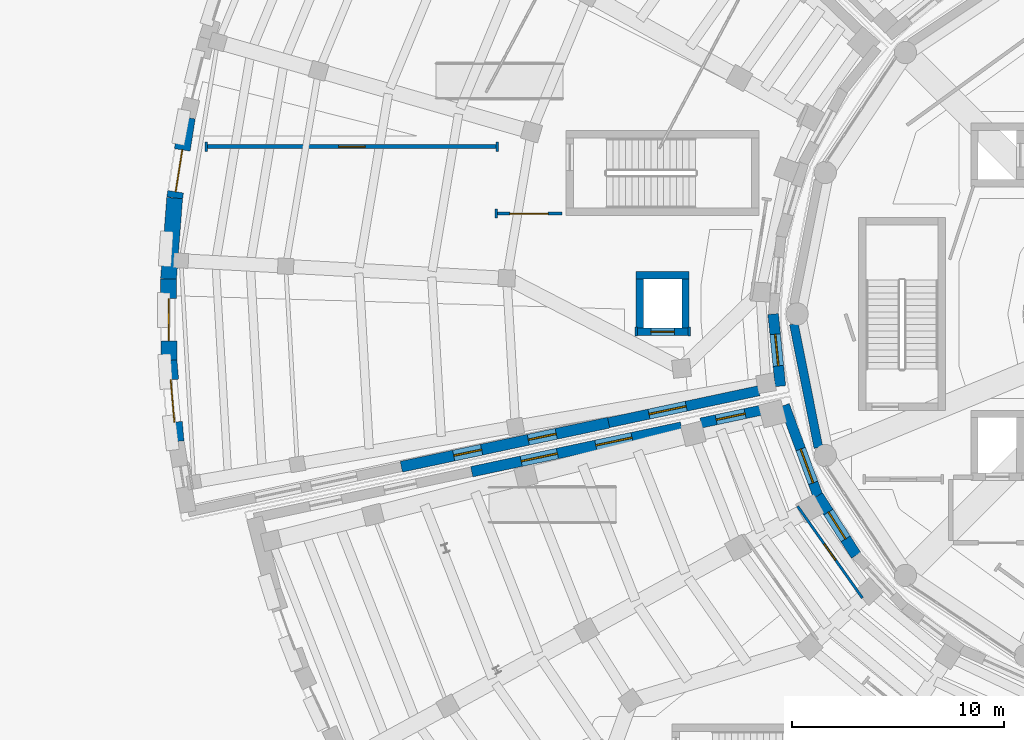
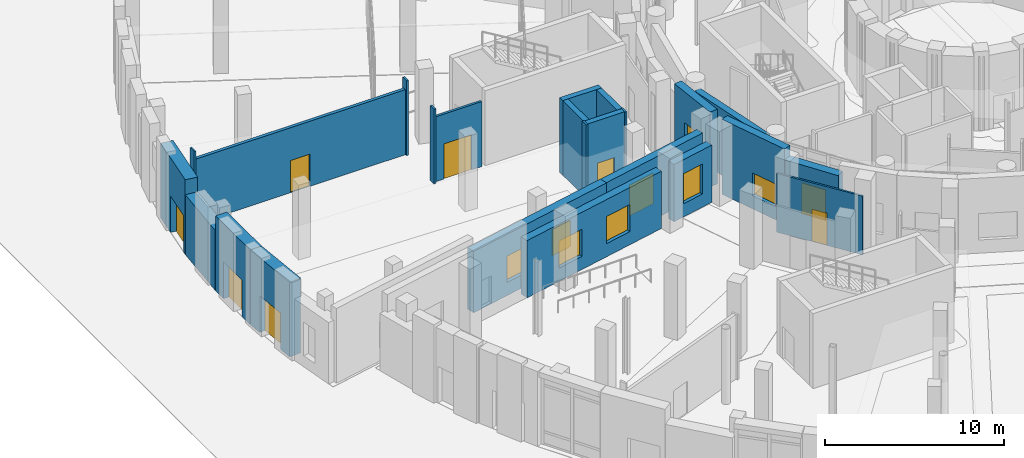
# One storey, part 42 of 74: 24 walls, 9 windows, 7 doors, 16 openings.
"""IFC4 building model written with IfcOpenShell, lengths in metres."""

import ifcopenshell
import ifcopenshell.guid

model = None  # the IFC model being written
_history = None  # IfcOwnerHistory: only IFC2X3 demands one
_inside = {}  # id of a spatial element -> (the spatial element, [elements in it])
_under = {}  # id of a project, library or spatial element -> (it, [spatial elements below it])
_declared = {}  # id of a project -> (the project, [libraries it declares])
_typed = {}  # id of a type object -> (the type object, [elements of that type])
_made_of = {}  # id of a material, layer set ... -> (it, [elements and type objects made of it])


def new_model(schema):
    """Start an empty IFC model of exactly this schema.

    Asked for "IFC4X3", IfcOpenShell would pick the latest addendum, in which some entities
    have other attributes; the version numbers below select the first issue.
    IFC2X3 requires an IfcOwnerHistory on every rooted entity: one is made here for all.
    """
    global model, _history
    if schema == "IFC4X3":
        model = ifcopenshell.file(schema_version=(4, 3, 0, 0))
    else:
        model = ifcopenshell.file(schema=schema)
    _inside.clear()
    _under.clear()
    _declared.clear()
    _typed.clear()
    _made_of.clear()
    _history = None
    if model.schema == "IFC2X3":
        org = make("IfcOrganization", Name="unknown")
        user = make(
            "IfcPersonAndOrganization",
            ThePerson=make("IfcPerson", FamilyName="unknown"),
            TheOrganization=org,
        )
        app = make(
            "IfcApplication",
            ApplicationDeveloper=org,
            Version="unknown",
            ApplicationFullName="unknown",
            ApplicationIdentifier="unknown",
        )
        _history = make(
            "IfcOwnerHistory",
            OwningUser=user,
            OwningApplication=app,
            ChangeAction="ADDED",
            CreationDate=0,
        )
    return model


def make(cls, **values):
    """One entity of the class cls with the attributes given. An attribute that is None is left unset."""
    return model.create_entity(
        cls, **{name: value for name, value in values.items() if value is not None}
    )


def rooted(cls, **values):
    """An entity with a GlobalId (a new one), such as an element, a storey or a relation."""
    return make(cls, GlobalId=ifcopenshell.guid.new(), OwnerHistory=_history, **values)


def si_unit(unit_type, name, prefix=None):
    """IfcSIUnit, for example si_unit("LENGTHUNIT", "METRE", prefix="MILLI")."""
    return make("IfcSIUnit", UnitType=unit_type, Prefix=prefix, Name=name)


def assignment(units):
    """IfcUnitAssignment: the units of a project."""
    return None if units is None else make("IfcUnitAssignment", Units=units)


def point(xyz):
    """IfcCartesianPoint."""
    return None if xyz is None else make("IfcCartesianPoint", Coordinates=xyz)


def direction(xyz):
    """IfcDirection."""
    return None if xyz is None else make("IfcDirection", DirectionRatios=xyz)


def frame(location, z_axis=None, x_axis=None):
    """IfcAxis2Placement3D, a coordinate frame: its origin and axes. An axis left out is left unset."""
    return make(
        "IfcAxis2Placement3D",
        Location=point(location),
        Axis=direction(z_axis),
        RefDirection=direction(x_axis),
    )


def frame_2d(location, x_axis=None):
    """IfcAxis2Placement2D, a coordinate frame in the plane: its origin and x axis."""
    return make(
        "IfcAxis2Placement2D", Location=point(location), RefDirection=direction(x_axis)
    )


def origin():
    """The frame at (0, 0, 0) with its axes left unset."""
    return frame((0.0, 0.0, 0.0))


def place(relative_to, where):
    """IfcLocalPlacement: puts the frame where relative to a parent placement (None: the world)."""
    return make(
        "IfcLocalPlacement", PlacementRelTo=relative_to, RelativePlacement=where
    )


def context(
    kind, dimensions, precision=None, world=None, true_north=None, identifier=None
):
    """IfcGeometricRepresentationContext, for example the 3D "Model" context."""
    return make(
        "IfcGeometricRepresentationContext",
        ContextIdentifier=identifier,
        ContextType=kind,
        CoordinateSpaceDimension=dimensions,
        Precision=precision,
        WorldCoordinateSystem=world,
        TrueNorth=true_north,
    )


def subcontext(parent, identifier, kind, view, scale=None):
    """IfcGeometricRepresentationSubContext, for example "Body" below "Model"."""
    return make(
        "IfcGeometricRepresentationSubContext",
        ContextIdentifier=identifier,
        ContextType=kind,
        ParentContext=parent,
        TargetScale=scale,
        TargetView=view,
    )


def project(units=None, contexts=None):
    """IfcProject with its units and contexts."""
    return rooted(
        "IfcProject",
        Name="project",
        RepresentationContexts=contexts,
        UnitsInContext=assignment(units),
    )


def spatial(cls, under=None, at=None, **own):
    """A site, building, storey or space (cls), placed at a placement, below another one or the project."""
    s = rooted(cls, ObjectPlacement=at, **own)
    if under is not None:
        _under.setdefault(under.id(), (under, []))[1].append(s)
    return s


def profile(cls, at=None, kind="AREA", **sizes):
    """A parametric profile (cls). Its sizes go by their IFC names, for example OverallWidth=200.0."""
    return make(cls, ProfileType=kind, Position=at, **sizes)


def rectangle(**sizes):
    """IfcRectangleProfileDef."""
    return profile("IfcRectangleProfileDef", **sizes)


def extrude(swept, where, along, depth):
    """IfcExtrudedAreaSolid: the profile swept, set in the frame where, extruded along a direction by depth."""
    return make(
        "IfcExtrudedAreaSolid",
        SweptArea=swept,
        Position=where,
        ExtrudedDirection=direction(along),
        Depth=depth,
    )


def shape(context_of_items, identifier, shape_type, items):
    """IfcShapeRepresentation: the items that make up one representation, for example the "Body"."""
    return make(
        "IfcShapeRepresentation",
        ContextOfItems=context_of_items,
        RepresentationIdentifier=identifier,
        RepresentationType=shape_type,
        Items=items,
    )


def material(Name=None, Category=None):
    """IfcMaterial."""
    return make("IfcMaterial", Name=Name, Category=Category)


def layer(
    of_material, thickness, ventilated=None, Name=None, Category=None, Priority=None
):
    """IfcMaterialLayer: one layer of a wall or slab, of a material (None: an air gap)."""
    return make(
        "IfcMaterialLayer",
        Material=of_material,
        LayerThickness=thickness,
        IsVentilated=ventilated,
        Name=Name,
        Category=Category,
        Priority=Priority,
    )


def layer_set(layers, Name=None):
    """IfcMaterialLayerSet."""
    return make("IfcMaterialLayerSet", MaterialLayers=layers, LayerSetName=Name)


def made_of(thing, what):
    """Note that an element or type object is made of a material, layer set ...; save() writes the relation."""
    if what is not None:
        _made_of.setdefault(what.id(), (what, []))[1].append(thing)
    return thing


def type_object(cls, material=None, **own):
    """A type object (cls), such as IfcWallType, which elements share."""
    return made_of(rooted(cls, **own), material)


def element(
    cls,
    number,
    at=None,
    inside=None,
    cuts=None,
    type_object=None,
    material=None,
    context=None,
    identifier="Body",
    shape_type=None,
    held_by="IfcProductDefinitionShape",
    body=None,
    shapes=None,
    **own,
):
    """One element of the class cls, such as IfcWall. Its Tag is "e" and its number.

    at: its placement. inside: the storey or other place that contains it. cuts: it is an
    opening in that element (IfcRelVoidsElement). A single representation is given by context,
    identifier, shape_type and body (its items); several are given by shapes. held_by: the class
    of the entity that holds the representations. save() writes the other relations.
    """
    e = rooted(cls, Tag="e%d" % number, ObjectPlacement=at, **own)
    if body is not None:
        shapes = [shape(context, identifier, shape_type, body)]
    if shapes is not None:
        e.Representation = make(held_by, Representations=shapes)
    if inside is not None:
        _inside.setdefault(inside.id(), (inside, []))[1].append(e)
    if cuts is not None:
        rooted(
            "IfcRelVoidsElement", RelatingBuildingElement=cuts, RelatedOpeningElement=e
        )
    if type_object is not None:
        _typed.setdefault(type_object.id(), (type_object, []))[1].append(e)
    return made_of(e, material)


def fill(opening, filler):
    """IfcRelFillsElement: the door or window that sits in an opening."""
    return rooted(
        "IfcRelFillsElement",
        RelatingOpeningElement=opening,
        RelatedBuildingElement=filler,
    )


def aggregate(whole, parts):
    """IfcRelAggregates: a whole, such as a stair, and the parts it consists of."""
    return rooted("IfcRelAggregates", RelatingObject=whole, RelatedObjects=parts)


def save(model, path):
    """Write the relations noted so far, then the file.

    IfcRelAggregates (storeys below a building ...), IfcRelContainedInSpatialStructure (elements
    in a storey), IfcRelDefinesByType, IfcRelAssociatesMaterial and IfcRelDeclares: one each for
    every whole, place, type object, material and project.
    """
    for whole, parts in _under.values():
        aggregate(whole, parts)
    for where, things in _inside.values():
        rooted(
            "IfcRelContainedInSpatialStructure",
            RelatedElements=things,
            RelatingStructure=where,
        )
    for kind, things in _typed.values():
        rooted("IfcRelDefinesByType", RelatedObjects=things, RelatingType=kind)
    for what, things in _made_of.values():
        rooted("IfcRelAssociatesMaterial", RelatedObjects=things, RelatingMaterial=what)
    for by, libraries in _declared.values():
        rooted("IfcRelDeclares", RelatingContext=by, RelatedDefinitions=libraries)
    model.write(path)


model = new_model("IFC4")

# Units and contexts
model_context = context("Model", 3, precision=1e-05, world=origin(), true_north=direction((0.0, 1.0)))
body_context = subcontext(model_context, "Body", "Model", "MODEL_VIEW")
ifc_project = project(units=[si_unit("LENGTHUNIT", "METRE"), si_unit("AREAUNIT", "SQUARE_METRE"), si_unit("VOLUMEUNIT", "CUBIC_METRE"), si_unit("PLANEANGLEUNIT", "RADIAN"), si_unit("MASSUNIT", "GRAM", prefix="KILO")], contexts=[model_context])

# Site, building, storey
site_placement = place(None, origin())
site = spatial("IfcSite", under=ifc_project, at=site_placement, CompositionType="ELEMENT")
building_placement = place(site_placement, origin())
building = spatial("IfcBuilding", under=site, at=building_placement, Name="Soyqirgoq Riverine Aquarium", CompositionType="ELEMENT")
storey_placement = place(building_placement, origin())
storey = spatial("IfcBuildingStorey", under=building, at=storey_placement, Name="L01", CompositionType="ELEMENT", Elevation=0.0)

# Wall, opening, door
ifc_material_1 = material(Name="Concrete C40/50", Category="concrete")
ifc_layer_1 = layer(ifc_material_1, 0.35009765625)
ifc_layer_set_1 = layer_set([ifc_layer_1], Name="Concrete C40/50")
wall_type_1 = type_object("IfcWallType", Name="CoreShearWall_350_C40", PredefinedType="SHEAR", material=ifc_layer_set_1)
wall_1_placement = place(storey_placement, frame((30.945068359375, 56.169921875, 0.0), z_axis=(0.0, 0.0, 1.0), x_axis=(1.0, 0.0, 0.0)))
wall_1 = element("IfcWall", 1, at=wall_1_placement, inside=storey, type_object=wall_type_1, Name="Lift PL-2 Shaft Wall L01 1", PredefinedType="SHEAR", context=body_context, shape_type="SweptSolid", body=[
    extrude(rectangle(XDim=2.510009765625, YDim=0.35009765625, at=frame_2d((1.2548828125, 0.0))), origin(), (0.0, 0.0, 1.0), 5.10009765625),
])
opening_1_placement = place(wall_1_placement, frame((0.705078125, 0.0, 0.0)))
opening_1 = element("IfcOpeningElement", 2, at=opening_1_placement, cuts=wall_1, Name="Opening LD-01", PredefinedType="OPENING", context=body_context, shape_type="SweptSolid", body=[
    extrude(rectangle(XDim=1.10009765625, YDim=2.199951171875, at=frame_2d((0.550048828125, 1.10009765625))), frame((0.0, 0.18505859375, 0.0), z_axis=(0.0, -1.0, 0.0), x_axis=(1.0, 0.0, 0.0)), (0.0, 0.0, 1.0), 0.3701171875),
])
ifc_material_2 = material(Name="Brushed stainless steel telescopic lift landing door", Category="steel")
door_type_1 = type_object("IfcDoorType", Name="LiftLandingDoor_1100x2200", OperationType="SLIDING_TO_LEFT", PredefinedType="DOOR", material=ifc_material_2)
door_1_placement = place(opening_1_placement, origin())
door_1 = element("IfcDoor", 3, at=door_1_placement, inside=storey, type_object=door_type_1, Name="LD-PL-2-L01 Lift PL-2 L01 Sliding Landing Door", OperationType="SLIDING_TO_LEFT", OverallHeight=2.199951171875, OverallWidth=1.10009765625, PredefinedType="DOOR", context=body_context, shape_type="SweptSolid", body=[
    extrude(rectangle(XDim=1.10009765625, YDim=2.199951171875, at=frame_2d((0.550048828125, 1.10009765625))), frame((0.0, 0.02490234375, 0.0), z_axis=(0.0, -1.0, 0.0), x_axis=(1.0, 0.0, 0.0)), (0.0, 0.0, 1.0), 0.050048828125),
])
fill(opening_1, door_1)

# Walls
wall_2_placement = place(storey_placement, frame((33.280029296875, 56.344970703125, 0.0), z_axis=(0.0, 0.0, 1.0), x_axis=(0.0, 1.0, 0.0)))
element("IfcWall", 4, at=wall_2_placement, inside=storey, type_object=wall_type_1, Name="Lift PL-2 Shaft Wall L01 2", PredefinedType="SHEAR", context=body_context, shape_type="SweptSolid", body=[
    extrude(rectangle(XDim=2.31005859375, YDim=0.35009765625, at=frame_2d((1.155029296875, 0.0))), origin(), (0.0, 0.0, 1.0), 5.10009765625),
])
wall_3_placement = place(storey_placement, frame((33.455078125, 58.830078125, 0.0), z_axis=(0.0, 0.0, 1.0), x_axis=(-1.0, 0.0, 0.0)))
element("IfcWall", 5, at=wall_3_placement, inside=storey, type_object=wall_type_1, Name="Lift PL-2 Shaft Wall L01 3", PredefinedType="SHEAR", context=body_context, shape_type="SweptSolid", body=[
    extrude(rectangle(XDim=2.510009765625, YDim=0.35009765625, at=frame_2d((1.2548828125, 0.0))), origin(), (0.0, 0.0, 1.0), 5.10009765625),
])
wall_4_placement = place(storey_placement, frame((31.1201171875, 58.655029296875, 0.0), z_axis=(0.0, 0.0, 1.0), x_axis=(0.0, -1.0, 0.0)))
element("IfcWall", 6, at=wall_4_placement, inside=storey, type_object=wall_type_1, Name="Lift PL-2 Shaft Wall L01 4", PredefinedType="SHEAR", context=body_context, shape_type="SweptSolid", body=[
    extrude(rectangle(XDim=2.31005859375, YDim=0.35009765625, at=frame_2d((1.155029296875, 0.0))), origin(), (0.0, 0.0, 1.0), 5.10009765625),
])

# Wall, opening, door
ifc_material_3 = material(Name="Lightweight steel-stud gypsum partition", Category="steel")
ifc_layer_2 = layer(ifc_material_3, 0.1201171875)
ifc_layer_set_2 = layer_set([ifc_layer_2], Name="Lightweight steel-stud gypsum partition")
wall_type_2 = type_object("IfcWallType", Name="PartitionWall_120_Std", PredefinedType="PARTITIONING", material=ifc_layer_set_2)
wall_5_placement = place(storey_placement, frame((41.62890625, 43.5986328125, 0.0), z_axis=(0.0, 0.0, 1.0), x_axis=(-0.577138892994, 0.816646005436, 0.0)))
wall_5 = element("IfcWall", 7, at=wall_5_placement, inside=storey, type_object=wall_type_2, Name="V2 Gallery Circulation Corridor Partition Wall", PredefinedType="PARTITIONING", context=body_context, shape_type="SweptSolid", body=[
    extrude(rectangle(XDim=5.299560546875, YDim=0.1201171875, at=frame_2d((2.64990234375, 0.0))), origin(), (0.0, 0.0, 1.0), 4.010009765625),
])
opening_2_placement = place(wall_5_placement, frame((2.1748046875, 0.0, 0.0)))
opening_2 = element("IfcOpeningElement", 8, at=opening_2_placement, cuts=wall_5, Name="Opening ID-06", PredefinedType="OPENING", context=body_context, shape_type="SweptSolid", body=[
    extrude(rectangle(XDim=0.949951171875, YDim=2.199951171875, at=frame_2d((0.47509765625, 1.10009765625))), frame((0.0, 0.070068359375, 0.0), z_axis=(0.0, -1.0, 0.0), x_axis=(1.0, 0.0, 0.0)), (0.0, 0.0, 1.0), 0.14013671875),
])
ifc_material_4 = material(Name="Moisture-resistant HPL washroom door", Category="wood")
door_type_2 = type_object("IfcDoorType", Name="WCDoor_950x2200", OperationType="NOTDEFINED", PredefinedType="DOOR", material=ifc_material_4)
door_2_placement = place(opening_2_placement, origin())
door_2 = element("IfcDoor", 9, at=door_2_placement, inside=storey, type_object=door_type_2, Name="IDR-V2-L01-0082 Main Entrance Concourse Door", OperationType="SINGLE_SWING_RIGHT", OverallHeight=2.199951171875, OverallWidth=0.949951171875, PredefinedType="DOOR", context=body_context, shape_type="SweptSolid", body=[
    extrude(rectangle(XDim=0.949951171875, YDim=2.199951171875, at=frame_2d((0.47509765625, 1.10009765625))), frame((0.0, 0.02490234375, 0.0), z_axis=(0.0, -1.0, 0.0), x_axis=(1.0, 0.0, 0.0)), (0.0, 0.0, 1.0), 0.050048828125),
])
fill(opening_2, door_2)

# Walls
for number, where, z_axis, x_axis, name in (
    (10, (30.945068359375, 55.949951171875, 0.0), (0.0, 0.0, 1.0), (0.0, 1.0, 0.0), "V3 L01 Jamb Return Pier"),
    (11, (33.455078125, 55.949951171875, 0.0), (0.0, 0.0, 1.0), (0.0, 1.0, 0.0), "V3 L01 Jamb Return Pier"),
):
    element("IfcWall", number, at=place(storey_placement, frame(where, z_axis=z_axis, x_axis=x_axis)), inside=storey, type_object=wall_type_2, Name=name, PredefinedType="PARTITIONING", context=body_context, shape_type="SweptSolid", body=[
        extrude(rectangle(XDim=0.43994140625, YDim=0.1201171875, at=frame_2d((0.219970703125, 0.0))), origin(), (0.0, 0.0, 1.0), 5.10009765625),
    ])
for number, where, z_axis, x_axis, name in (
    (12, (24.39990234375, 65.1201171875, 0.0), (0.0, 0.0, 1.0), (0.0, -1.0, 0.0), "V3 L01 Jamb Return Pier"),
    (13, (10.6669921875, 65.1201171875, 0.0), (0.0, 0.0, 1.0), (0.0, -1.0, 0.0), "V3 L01 Jamb Return Pier"),
):
    element("IfcWall", number, at=place(storey_placement, frame(where, z_axis=z_axis, x_axis=x_axis)), inside=storey, type_object=wall_type_2, Name=name, PredefinedType="PARTITIONING", context=body_context, shape_type="SweptSolid", body=[
        extrude(rectangle(XDim=0.440185546875, YDim=0.1201171875, at=frame_2d((0.22021484375, 0.0))), origin(), (0.0, 0.0, 1.0), 5.10009765625),
    ])
wall_6_placement = place(storey_placement, frame((24.340087890625, 61.9599609375, 0.0), z_axis=(0.0, 0.0, 1.0), x_axis=(0.0, -1.0, 0.0)))
element("IfcWall", 14, at=wall_6_placement, inside=storey, type_object=wall_type_2, Name="V3 L01 Jamb Return Pier", PredefinedType="PARTITIONING", context=body_context, shape_type="SweptSolid", body=[
    extrude(rectangle(XDim=0.43994140625, YDim=0.1201171875, at=frame_2d((0.219970703125, 0.0))), origin(), (0.0, 0.0, 1.0), 5.10009765625),
])

# Wall, opening, door
ifc_material_5 = material(Name="Acoustic mineral-wool twin-stud partition", Category="gypsum")
ifc_layer_3 = layer(ifc_material_5, 0.14990234375)
ifc_layer_set_3 = layer_set([ifc_layer_3], Name="Acoustic mineral-wool twin-stud partition")
wall_type_3 = type_object("IfcWallType", Name="PartitionWall_150_Acoustic", PredefinedType="PARTITIONING", material=ifc_layer_set_3)
wall_7_placement = place(storey_placement, frame((27.449951171875, 61.739990234375, 0.0), z_axis=(0.0, 0.0, 1.0), x_axis=(-1.0, 0.0, 0.0)))
wall_7 = element("IfcWall", 15, at=wall_7_placement, inside=storey, type_object=wall_type_3, Name="Riverine Gallery Partition Wall", PredefinedType="PARTITIONING", context=body_context, shape_type="SweptSolid", body=[
    extrude(rectangle(XDim=3.10986328125, YDim=0.14990234375, at=frame_2d((1.554931640625, 0.0))), origin(), (0.0, 0.0, 1.0), 4.43994140625),
])
opening_3_placement = place(wall_7_placement, frame((0.655029296875, 0.0, 0.0)))
opening_3 = element("IfcOpeningElement", 16, at=opening_3_placement, cuts=wall_7, Name="Opening ID-01", PredefinedType="OPENING", context=body_context, shape_type="SweptSolid", body=[
    extrude(rectangle(XDim=1.800048828125, YDim=2.39990234375, at=frame_2d((0.89990234375, 1.199951171875))), frame((0.0, 0.0849609375, 0.0), z_axis=(0.0, -1.0, 0.0), x_axis=(1.0, 0.0, 0.0)), (0.0, 0.0, 1.0), 0.169921875),
])
ifc_material_6 = material(Name="Acoustic timber-framed glazed gallery double door", Category="wood")
door_type_3 = type_object("IfcDoorType", Name="GalleryDoubleDoor_1800x2400", OperationType="DOUBLE_DOOR_SINGLE_SWING", PredefinedType="DOOR", material=ifc_material_6)
door_3_placement = place(opening_3_placement, origin())
door_3 = element("IfcDoor", 17, at=door_3_placement, inside=storey, type_object=door_type_3, Name="IDR-V3-L01-0094 Riverine Gallery Door", OperationType="DOUBLE_DOOR_SINGLE_SWING", OverallHeight=2.39990234375, OverallWidth=1.800048828125, PredefinedType="DOOR", context=body_context, shape_type="SweptSolid", body=[
    extrude(rectangle(XDim=1.800048828125, YDim=2.39990234375, at=frame_2d((0.89990234375, 1.199951171875))), frame((0.0, 0.02490234375, 0.0), z_axis=(0.0, -1.0, 0.0), x_axis=(1.0, 0.0, 0.0)), (0.0, 0.0, 1.0), 0.050048828125),
])
fill(opening_3, door_3)

ifc_material_7 = material(Name="Fire-rated calcium silicate twin-stud partition", Category="gypsum")
ifc_layer_4 = layer(ifc_material_7, 0.199951171875)
ifc_layer_set_4 = layer_set([ifc_layer_4], Name="Fire-rated calcium silicate twin-stud partition")
wall_type_4 = type_object("IfcWallType", Name="PartitionWall_200_EI90", PredefinedType="PARTITIONING", material=ifc_layer_set_4)
wall_8_placement = place(storey_placement, frame((24.39990234375, 64.89990234375, 0.0), z_axis=(0.0, 0.0, 1.0), x_axis=(-1.0, 0.0, 0.0)))
wall_8 = element("IfcWall", 18, at=wall_8_placement, inside=storey, type_object=wall_type_4, Name="Lift and Stair Lobby ST-3 and Protected Exit Passageway Fire Enclosure Wall", PredefinedType="PARTITIONING", context=body_context, shape_type="SweptSolid", body=[
    extrude(rectangle(XDim=13.73291015625, YDim=0.199951171875, at=frame_2d((6.866455078125, 0.0))), origin(), (0.0, 0.0, 1.0), 4.43994140625),
])
opening_4_placement = place(wall_8_placement, frame((6.241455078125, 0.0, 0.0)))
opening_4 = element("IfcOpeningElement", 19, at=opening_4_placement, cuts=wall_8, Name="Opening FD-01", PredefinedType="OPENING", context=body_context, shape_type="SweptSolid", body=[
    extrude(rectangle(XDim=1.25, YDim=2.199951171875, at=frame_2d((0.625, 1.10009765625))), frame((0.0, 0.10986328125, 0.0), z_axis=(0.0, -1.0, 0.0), x_axis=(1.0, 0.0, 0.0)), (0.0, 0.0, 1.0), 0.219970703125),
])
ifc_material_8 = material(Name="Galvanised steel fire-resisting stair door", Category="steel")
door_type_4 = type_object("IfcDoorType", Name="StairFireDoor_1250x2200_EI90", OperationType="NOTDEFINED", PredefinedType="DOOR", material=ifc_material_8)
door_4_placement = place(opening_4_placement, origin())
door_4 = element("IfcDoor", 20, at=door_4_placement, inside=storey, type_object=door_type_4, Name="IDR-V3-L01-0092 Lift and Stair Lobby ST-3 and Protected Exit Passageway Egress Fire Door", OperationType="SINGLE_SWING_LEFT", OverallHeight=2.199951171875, OverallWidth=1.25, PredefinedType="DOOR", context=body_context, shape_type="SweptSolid", body=[
    extrude(rectangle(XDim=1.25, YDim=2.199951171875, at=frame_2d((0.625, 1.10009765625))), frame((0.0, 0.02490234375, 0.0), z_axis=(0.0, -1.0, 0.0), x_axis=(1.0, 0.0, 0.0)), (0.0, 0.0, 1.0), 0.050048828125),
])
fill(opening_4, door_4)

# Wall, opening, window
ifc_material_9 = material(Name="Honed travertine limestone cavity wall", Category="masonry")
ifc_layer_5 = layer(ifc_material_9, 0.47998046875)
ifc_layer_set_5 = layer_set([ifc_layer_5], Name="Honed travertine limestone cavity wall")
wall_type_5 = type_object("IfcWallType", Name="TravertineCavityWall_480", PredefinedType="SOLIDWALL", material=ifc_layer_set_5)
wall_9_placement = place(storey_placement, frame((37.951416015625, 52.693359375, 0.0), z_axis=(0.0, 0.0, 1.0), x_axis=(0.346456169042, -0.938066161277, 0.0)))
wall_9 = element("IfcWall", 21, at=wall_9_placement, inside=storey, type_object=wall_type_5, Name="V2 L01 Exterior Travertine Wall 0051", PredefinedType="SOLIDWALL", context=body_context, shape_type="SweptSolid", body=[
    extrude(rectangle(XDim=4.550048828125, YDim=0.47998046875, at=frame_2d((2.27490234375, 0.0))), origin(), (0.0, 0.0, 1.0), 5.1201171875),
])
opening_5_placement = place(wall_9_placement, frame((2.205078125, 0.0, 0.89990234375)))
opening_5 = element("IfcOpeningElement", 22, at=opening_5_placement, cuts=wall_9, Name="Opening WN-21", PredefinedType="OPENING", context=body_context, shape_type="SweptSolid", body=[
    extrude(rectangle(XDim=1.699951171875, YDim=1.550048828125, at=frame_2d((0.85009765625, 0.77490234375))), frame((0.0, 0.25, 0.0), z_axis=(0.0, -1.0, 0.0), x_axis=(1.0, 0.0, 0.0)), (0.0, 0.0, 1.0), 0.5),
])
ifc_material_10 = material(Name="Thermally broken aluminium triple low-E window", Category="aluminium")
window_type_1 = type_object("IfcWindowType", Name="Win_Lab_1700x1550", PartitioningType="DOUBLE_PANEL_VERTICAL", PredefinedType="WINDOW", material=ifc_material_10)
window_1_placement = place(opening_5_placement, origin())
window_1 = element("IfcWindow", 23, at=window_1_placement, inside=storey, type_object=window_type_1, Name="V2 L01 Facade Window 0021", OverallHeight=1.550048828125, OverallWidth=1.699951171875, PartitioningType="DOUBLE_PANEL_VERTICAL", PredefinedType="WINDOW", context=body_context, shape_type="SweptSolid", body=[
    extrude(rectangle(XDim=1.699951171875, YDim=1.550048828125, at=frame_2d((0.85009765625, 0.77490234375))), frame((0.0, 0.030029296875, 0.0), z_axis=(0.0, -1.0, 0.0), x_axis=(1.0, 0.0, 0.0)), (0.0, 0.0, 1.0), 0.06005859375),
])
fill(opening_5, window_1)

wall_10_placement = place(storey_placement, frame((34.010009765625, 51.855712890625, 0.0), z_axis=(0.0, 0.0, 1.0), x_axis=(0.97815429803, 0.207880180021, 0.0)))
wall_10 = element("IfcWall", 24, at=wall_10_placement, inside=storey, type_object=wall_type_5, Name="V2 L01 Exterior Travertine Wall 0072", PredefinedType="SOLIDWALL", context=body_context, shape_type="SweptSolid", body=[
    extrude(rectangle(XDim=2.862060546875, YDim=0.47998046875, at=frame_2d((1.43115234375, 0.0))), origin(), (0.0, 0.0, 1.0), 3.909912109375),
])
opening_6_placement = place(wall_10_placement, frame((0.73095703125, 0.0, 0.89990234375)))
opening_6 = element("IfcOpeningElement", 25, at=opening_6_placement, cuts=wall_10, Name="Opening WN-20", PredefinedType="OPENING", context=body_context, shape_type="SweptSolid", body=[
    extrude(rectangle(XDim=1.39990234375, YDim=2.050048828125, at=frame_2d((0.699951171875, 1.02490234375))), frame((0.0, 0.25, 0.0), z_axis=(0.0, -1.0, 0.0), x_axis=(1.0, 0.0, 0.0)), (0.0, 0.0, 1.0), 0.5),
])
ifc_material_11 = material(Name="Thermally broken aluminium triple low-E window", Category="aluminium")
window_type_2 = type_object("IfcWindowType", Name="Win_Gallery_1400x2050", PartitioningType="DOUBLE_PANEL_VERTICAL", PredefinedType="WINDOW", material=ifc_material_11)
window_2_placement = place(opening_6_placement, origin())
window_2 = element("IfcWindow", 26, at=window_2_placement, inside=storey, type_object=window_type_2, Name="V2 L01 Facade Window 0034", OverallHeight=2.050048828125, OverallWidth=1.39990234375, PartitioningType="DOUBLE_PANEL_VERTICAL", PredefinedType="WINDOW", context=body_context, shape_type="SweptSolid", body=[
    extrude(rectangle(XDim=1.39990234375, YDim=2.050048828125, at=frame_2d((0.699951171875, 1.02490234375))), frame((0.0, 0.030029296875, 0.0), z_axis=(0.0, -1.0, 0.0), x_axis=(1.0, 0.0, 0.0)), (0.0, 0.0, 1.0), 0.06005859375),
])
fill(opening_6, window_2)

wall_11_placement = place(storey_placement, frame((36.74072265625, 53.376708984375, 0.0), z_axis=(0.0, 0.0, 1.0), x_axis=(-0.978142239511, -0.207936911788, 0.0)))
wall_11 = element("IfcWall", 27, at=wall_11_placement, inside=storey, type_object=wall_type_5, Name="V3 L01 Exterior Travertine Wall 0097", PredefinedType="SOLIDWALL", context=body_context, shape_type="SweptSolid", body=[
    extrude(rectangle(XDim=7.247802734375, YDim=0.47998046875, at=frame_2d((3.6240234375, 0.0))), origin(), (0.0, 0.0, 1.0), 4.18994140625),
])
opening_7_placement = place(wall_11_placement, frame((3.50390625, 0.0, 0.89990234375)))
opening_7 = element("IfcOpeningElement", 28, at=opening_7_placement, cuts=wall_11, Name="Opening WN-05", PredefinedType="OPENING", context=body_context, shape_type="SweptSolid", body=[
    extrude(rectangle(XDim=1.800048828125, YDim=2.10009765625, at=frame_2d((0.89990234375, 1.050048828125))), frame((0.0, 0.25, 0.0), z_axis=(0.0, -1.0, 0.0), x_axis=(1.0, 0.0, 0.0)), (0.0, 0.0, 1.0), 0.5),
])
ifc_material_12 = material(Name="Thermally broken aluminium triple low-E window", Category="aluminium")
window_type_3 = type_object("IfcWindowType", Name="Win_Gallery_1800x2100", PartitioningType="DOUBLE_PANEL_VERTICAL", PredefinedType="WINDOW", material=ifc_material_12)
window_3_placement = place(opening_7_placement, origin())
window_3 = element("IfcWindow", 29, at=window_3_placement, inside=storey, type_object=window_type_3, Name="V3 L01 Facade Window 0063", OverallHeight=2.10009765625, OverallWidth=1.800048828125, PartitioningType="DOUBLE_PANEL_VERTICAL", PredefinedType="WINDOW", context=body_context, shape_type="SweptSolid", body=[
    extrude(rectangle(XDim=1.800048828125, YDim=2.10009765625, at=frame_2d((0.89990234375, 1.050048828125))), frame((0.0, 0.030029296875, 0.0), z_axis=(0.0, -1.0, 0.0), x_axis=(1.0, 0.0, 0.0)), (0.0, 0.0, 1.0), 0.06005859375),
])
fill(opening_7, window_3)

# Wall, openings, windows
ifc_material_13 = material(Name="Honed travertine limestone cavity wall", Category="masonry")
ifc_layer_6 = layer(ifc_material_13, 0.5)
ifc_layer_set_6 = layer_set([ifc_layer_6], Name="Honed travertine limestone cavity wall")
wall_type_6 = type_object("IfcWallType", Name="TravertineCavityWall_500", PredefinedType="SOLIDWALL", material=ifc_layer_set_6)
wall_12_placement = place(storey_placement, frame((23.189453125, 49.5556640625, 0.0), z_axis=(0.0, 0.0, 1.0), x_axis=(0.97814560757, 0.207921067697, 0.0)))
wall_12 = element("IfcWall", 30, at=wall_12_placement, inside=storey, type_object=wall_type_6, Name="V2 L01 Exterior Travertine Wall 0071", PredefinedType="SOLIDWALL", context=body_context, shape_type="SweptSolid", body=[
    extrude(rectangle(XDim=10.12158203125, YDim=0.5, at=frame_2d((5.060791015625, 0.0))), origin(), (0.0, 0.0, 1.0), 3.909912109375),
])
opening_8_placement = place(wall_12_placement, frame((2.385986328125, 0.0, 0.89990234375)))
opening_8 = element("IfcOpeningElement", 31, at=opening_8_placement, cuts=wall_12, Name="Opening WN-19", PredefinedType="OPENING", context=body_context, shape_type="SweptSolid", body=[
    extrude(rectangle(XDim=1.75, YDim=1.85009765625, at=frame_2d((0.875, 0.925048828125))), frame((0.0, 0.260009765625, 0.0), z_axis=(0.0, -1.0, 0.0), x_axis=(1.0, 0.0, 0.0)), (0.0, 0.0, 1.0), 0.52001953125),
])
opening_9_placement = place(wall_12_placement, frame((5.98583984375, 0.0, 0.89990234375)))
opening_9 = element("IfcOpeningElement", 32, at=opening_9_placement, cuts=wall_12, Name="Opening WN-19", PredefinedType="OPENING", context=body_context, shape_type="SweptSolid", body=[
    extrude(rectangle(XDim=1.75, YDim=1.85009765625, at=frame_2d((0.875, 0.925048828125))), frame((0.0, 0.260009765625, 0.0), z_axis=(0.0, -1.0, 0.0), x_axis=(1.0, 0.0, 0.0)), (0.0, 0.0, 1.0), 0.52001953125),
])
ifc_material_14 = material(Name="Thermally broken aluminium triple low-E window", Category="aluminium")
window_type_4 = type_object("IfcWindowType", Name="Win_Office_1750x1850", PartitioningType="DOUBLE_PANEL_VERTICAL", PredefinedType="WINDOW", material=ifc_material_14)
window_4_placement = place(opening_8_placement, origin())
window_4 = element("IfcWindow", 33, at=window_4_placement, inside=storey, type_object=window_type_4, Name="V2 L01 Facade Window 0032", OverallHeight=1.85009765625, OverallWidth=1.75, PartitioningType="DOUBLE_PANEL_VERTICAL", PredefinedType="WINDOW", context=body_context, shape_type="SweptSolid", body=[
    extrude(rectangle(XDim=1.75, YDim=1.85009765625, at=frame_2d((0.875, 0.925048828125))), frame((0.0, 0.030029296875, 0.0), z_axis=(0.0, -1.0, 0.0), x_axis=(1.0, 0.0, 0.0)), (0.0, 0.0, 1.0), 0.06005859375),
])
fill(opening_8, window_4)
window_5_placement = place(opening_9_placement, origin())
window_5 = element("IfcWindow", 34, at=window_5_placement, inside=storey, type_object=window_type_4, Name="V2 L01 Facade Window 0033", OverallHeight=1.85009765625, OverallWidth=1.75, PartitioningType="DOUBLE_PANEL_VERTICAL", PredefinedType="WINDOW", context=body_context, shape_type="SweptSolid", body=[
    extrude(rectangle(XDim=1.75, YDim=1.85009765625, at=frame_2d((0.875, 0.925048828125))), frame((0.0, 0.030029296875, 0.0), z_axis=(0.0, -1.0, 0.0), x_axis=(1.0, 0.0, 0.0)), (0.0, 0.0, 1.0), 0.06005859375),
])
fill(opening_9, window_5)

# Wall, opening, window
wall_13_placement = place(storey_placement, frame((37.4189453125, 56.999755859375, 0.0), z_axis=(0.0, 0.0, 1.0), x_axis=(0.09912244439, -0.995075243898, 0.0)))
wall_13 = element("IfcWall", 35, at=wall_13_placement, inside=storey, type_object=wall_type_6, Name="V3 L01 Exterior Travertine Wall 0096", PredefinedType="SOLIDWALL", context=body_context, shape_type="SweptSolid", body=[
    extrude(rectangle(XDim=3.423583984375, YDim=0.5, at=frame_2d((1.7119140625, 0.0))), origin(), (0.0, 0.0, 1.0), 5.10009765625),
])
opening_10_placement = place(wall_13_placement, frame((0.9619140625, 0.0, 0.89990234375)))
opening_10 = element("IfcOpeningElement", 36, at=opening_10_placement, cuts=wall_13, Name="Opening WN-04", PredefinedType="OPENING", context=body_context, shape_type="SweptSolid", body=[
    extrude(rectangle(XDim=1.5, YDim=2.10009765625, at=frame_2d((0.75, 1.050048828125))), frame((0.0, 0.260009765625, 0.0), z_axis=(0.0, -1.0, 0.0), x_axis=(1.0, 0.0, 0.0)), (0.0, 0.0, 1.0), 0.52001953125),
])
ifc_material_15 = material(Name="Thermally broken aluminium triple low-E window", Category="aluminium")
window_type_5 = type_object("IfcWindowType", Name="Win_Gallery_1500x2100", PartitioningType="DOUBLE_PANEL_VERTICAL", PredefinedType="WINDOW", material=ifc_material_15)
window_6_placement = place(opening_10_placement, origin())
window_6 = element("IfcWindow", 37, at=window_6_placement, inside=storey, type_object=window_type_5, Name="V3 L01 Facade Window 0062", OverallHeight=2.10009765625, OverallWidth=1.5, PartitioningType="DOUBLE_PANEL_VERTICAL", PredefinedType="WINDOW", context=body_context, shape_type="SweptSolid", body=[
    extrude(rectangle(XDim=1.5, YDim=2.10009765625, at=frame_2d((0.75, 1.050048828125))), frame((0.0, 0.030029296875, 0.0), z_axis=(0.0, -1.0, 0.0), x_axis=(1.0, 0.0, 0.0)), (0.0, 0.0, 1.0), 0.06005859375),
])
fill(opening_10, window_6)

ifc_material_16 = material(Name="Honed travertine limestone cavity wall", Category="masonry")
ifc_layer_7 = layer(ifc_material_16, 0.52001953125)
ifc_layer_set_7 = layer_set([ifc_layer_7], Name="Honed travertine limestone cavity wall")
wall_type_7 = type_object("IfcWallType", Name="TravertineCavityWall_520", PredefinedType="SOLIDWALL", material=ifc_layer_set_7)
wall_14_placement = place(storey_placement, frame((39.52783203125, 48.425048828125, 0.0), z_axis=(0.0, 0.0, 1.0), x_axis=(0.539805398391, -0.841789838302, 0.0)))
wall_14 = element("IfcWall", 38, at=wall_14_placement, inside=storey, type_object=wall_type_7, Name="V2 L01 Exterior Travertine Wall 0052", PredefinedType="SOLIDWALL", context=body_context, shape_type="SweptSolid", body=[
    extrude(rectangle(XDim=3.344482421875, YDim=0.52001953125, at=frame_2d((1.67236328125, 0.0))), origin(), (0.0, 0.0, 1.0), 4.409912109375),
])
opening_11_placement = place(wall_14_placement, frame((0.92236328125, 0.0, 0.89990234375)))
opening_11 = element("IfcOpeningElement", 39, at=opening_11_placement, cuts=wall_14, Name="Opening WN-04", PredefinedType="OPENING", context=body_context, shape_type="SweptSolid", body=[
    extrude(rectangle(XDim=1.5, YDim=2.10009765625, at=frame_2d((0.75, 1.050048828125))), frame((0.0, 0.27001953125, 0.0), z_axis=(0.0, -1.0, 0.0), x_axis=(1.0, 0.0, 0.0)), (0.0, 0.0, 1.0), 0.5400390625),
])
window_7_placement = place(opening_11_placement, origin())
window_7 = element("IfcWindow", 40, at=window_7_placement, inside=storey, type_object=window_type_5, Name="V2 L01 Facade Window 0022", OverallHeight=2.10009765625, OverallWidth=1.5, PartitioningType="DOUBLE_PANEL_VERTICAL", PredefinedType="WINDOW", context=body_context, shape_type="SweptSolid", body=[
    extrude(rectangle(XDim=1.5, YDim=2.10009765625, at=frame_2d((0.75, 1.050048828125))), frame((0.0, 0.030029296875, 0.0), z_axis=(0.0, -1.0, 0.0), x_axis=(1.0, 0.0, 0.0)), (0.0, 0.0, 1.0), 0.06005859375),
])
fill(opening_11, window_7)

# Wall, openings, windows
wall_15_placement = place(storey_placement, frame((29.6513671875, 51.86962890625, 0.0), z_axis=(0.0, 0.0, 1.0), x_axis=(-0.978149669378, -0.207901958373, 0.0)))
wall_15 = element("IfcWall", 41, at=wall_15_placement, inside=storey, type_object=wall_type_7, Name="V3 L01 Exterior Travertine Wall 0098", PredefinedType="SOLIDWALL", context=body_context, shape_type="SweptSolid", body=[
    extrude(rectangle(XDim=10.002685546875, YDim=0.52001953125, at=frame_2d((5.00146484375, 0.0))), origin(), (0.0, 0.0, 1.0), 4.18994140625),
])
opening_12_placement = place(wall_15_placement, frame((2.5263671875, 0.0, 0.89990234375)))
opening_12 = element("IfcOpeningElement", 42, at=opening_12_placement, cuts=wall_15, Name="Opening WN-08", PredefinedType="OPENING", context=body_context, shape_type="SweptSolid", body=[
    extrude(rectangle(XDim=1.35009765625, YDim=1.800048828125, at=frame_2d((0.675048828125, 0.89990234375))), frame((0.0, 0.27001953125, 0.0), z_axis=(0.0, -1.0, 0.0), x_axis=(1.0, 0.0, 0.0)), (0.0, 0.0, 1.0), 0.5400390625),
])
opening_13_placement = place(wall_15_placement, frame((6.12646484375, 0.0, 0.89990234375)))
opening_13 = element("IfcOpeningElement", 43, at=opening_13_placement, cuts=wall_15, Name="Opening WN-08", PredefinedType="OPENING", context=body_context, shape_type="SweptSolid", body=[
    extrude(rectangle(XDim=1.35009765625, YDim=1.800048828125, at=frame_2d((0.675048828125, 0.89990234375))), frame((0.0, 0.27001953125, 0.0), z_axis=(0.0, -1.0, 0.0), x_axis=(1.0, 0.0, 0.0)), (0.0, 0.0, 1.0), 0.5400390625),
])
ifc_material_17 = material(Name="Thermally broken aluminium triple low-E window", Category="aluminium")
window_type_6 = type_object("IfcWindowType", Name="Win_Office_1350x1800", PartitioningType="DOUBLE_PANEL_VERTICAL", PredefinedType="WINDOW", material=ifc_material_17)
window_8_placement = place(opening_12_placement, origin())
window_8 = element("IfcWindow", 44, at=window_8_placement, inside=storey, type_object=window_type_6, Name="V3 L01 Facade Window 0064", OverallHeight=1.800048828125, OverallWidth=1.35009765625, PartitioningType="DOUBLE_PANEL_VERTICAL", PredefinedType="WINDOW", context=body_context, shape_type="SweptSolid", body=[
    extrude(rectangle(XDim=1.35009765625, YDim=1.800048828125, at=frame_2d((0.675048828125, 0.89990234375))), frame((0.0, 0.030029296875, 0.0), z_axis=(0.0, -1.0, 0.0), x_axis=(1.0, 0.0, 0.0)), (0.0, 0.0, 1.0), 0.06005859375),
])
fill(opening_12, window_8)
window_9_placement = place(opening_13_placement, origin())
window_9 = element("IfcWindow", 45, at=window_9_placement, inside=storey, type_object=window_type_6, Name="V3 L01 Facade Window 0065", OverallHeight=1.800048828125, OverallWidth=1.35009765625, PartitioningType="DOUBLE_PANEL_VERTICAL", PredefinedType="WINDOW", context=body_context, shape_type="SweptSolid", body=[
    extrude(rectangle(XDim=1.35009765625, YDim=1.800048828125, at=frame_2d((0.675048828125, 0.89990234375))), frame((0.0, 0.030029296875, 0.0), z_axis=(0.0, -1.0, 0.0), x_axis=(1.0, 0.0, 0.0)), (0.0, 0.0, 1.0), 0.06005859375),
])
fill(opening_13, window_9)

# Wall, opening, door
ifc_material_18 = material(Name="Honed travertine limestone cavity wall", Category="masonry")
ifc_layer_8 = layer(ifc_material_18, 0.75)
ifc_layer_set_8 = layer_set([ifc_layer_8], Name="Honed travertine limestone cavity wall")
wall_type_8 = type_object("IfcWallType", Name="TravertineNicheWall_750", PredefinedType="SOLIDWALL", material=ifc_layer_set_8)
wall_16_placement = place(storey_placement, frame((9.23583984375, 50.981689453125, 0.0), z_axis=(0.0, 0.0, 1.0), x_axis=(-0.087118042521, 0.996197995715, 0.0)))
wall_16 = element("IfcWall", 46, at=wall_16_placement, inside=storey, type_object=wall_type_8, Name="V3 L01 Exterior Travertine Wall 0101", PredefinedType="SOLIDWALL", context=body_context, shape_type="SweptSolid", body=[
    extrude(rectangle(XDim=3.83935546875, YDim=0.75, at=frame_2d((1.919677734375, 0.0))), origin(), (0.0, 0.0, 1.0), 5.10009765625),
])
opening_14_placement = place(wall_16_placement, frame((0.919677734375, 0.0, 0.0)))
opening_14 = element("IfcOpeningElement", 47, at=opening_14_placement, cuts=wall_16, Name="Opening ED-01", PredefinedType="OPENING", context=body_context, shape_type="SweptSolid", body=[
    extrude(rectangle(XDim=2.0, YDim=2.5, at=frame_2d((1.0, 1.25))), frame((0.0, 0.385009765625, 0.0), z_axis=(0.0, -1.0, 0.0), x_axis=(1.0, 0.0, 0.0)), (0.0, 0.0, 1.0), 0.77001953125),
])
ifc_material_19 = material(Name="Anodised aluminium glazed entrance door", Category="aluminium")
door_type_5 = type_object("IfcDoorType", Name="ExitDoubleDoor_2000x2500", OperationType="DOUBLE_DOOR_SINGLE_SWING", PredefinedType="DOOR", material=ifc_material_19)
door_5_placement = place(opening_14_placement, origin())
door_5 = element("IfcDoor", 48, at=door_5_placement, inside=storey, type_object=door_type_5, Name="EDR-V3-L01-06 V3 L01 Grade Pedestrian Exit Discharge Door 06", OperationType="DOUBLE_DOOR_SINGLE_SWING", OverallHeight=2.5, OverallWidth=2.0, PredefinedType="DOOR", context=body_context, shape_type="SweptSolid", body=[
    extrude(rectangle(XDim=2.0, YDim=2.5, at=frame_2d((1.0, 1.25))), frame((0.0, 0.02490234375, 0.0), z_axis=(0.0, -1.0, 0.0), x_axis=(1.0, 0.0, 0.0)), (0.0, 0.0, 1.0), 0.050048828125),
])
fill(opening_14, door_5)

wall_17_placement = place(storey_placement, frame((8.9013671875, 54.806396484375, 0.0), z_axis=(0.0, 0.0, 1.0), x_axis=(-0.005850456312, 0.999982885934, 0.0)))
wall_17 = element("IfcWall", 49, at=wall_17_placement, inside=storey, type_object=wall_type_8, Name="V3 L01 Exterior Travertine Wall 0102", PredefinedType="SOLIDWALL", context=body_context, shape_type="SweptSolid", body=[
    extrude(rectangle(XDim=3.839111328125, YDim=0.75, at=frame_2d((1.91943359375, 0.0))), origin(), (0.0, 0.0, 1.0), 5.10009765625),
])
opening_15_placement = place(wall_17_placement, frame((0.919677734375, 0.0, 0.0)))
opening_15 = element("IfcOpeningElement", 50, at=opening_15_placement, cuts=wall_17, Name="Opening ED-01", PredefinedType="OPENING", context=body_context, shape_type="SweptSolid", body=[
    extrude(rectangle(XDim=2.0, YDim=2.5, at=frame_2d((1.0, 1.25))), frame((0.0, 0.385009765625, 0.0), z_axis=(0.0, -1.0, 0.0), x_axis=(1.0, 0.0, 0.0)), (0.0, 0.0, 1.0), 0.77001953125),
])
door_6_placement = place(opening_15_placement, origin())
door_6 = element("IfcDoor", 51, at=door_6_placement, inside=storey, type_object=door_type_5, Name="EDR-V3-L01-07 V3 L01 Grade Pedestrian Exit Discharge Door 07", OperationType="DOUBLE_DOOR_SINGLE_SWING", OverallHeight=2.5, OverallWidth=2.0, PredefinedType="DOOR", context=body_context, shape_type="SweptSolid", body=[
    extrude(rectangle(XDim=2.0, YDim=2.5, at=frame_2d((1.0, 1.25))), frame((0.0, 0.02490234375, 0.0), z_axis=(0.0, -1.0, 0.0), x_axis=(1.0, 0.0, 0.0)), (0.0, 0.0, 1.0), 0.050048828125),
])
fill(opening_15, door_6)

# Wall
wall_18_placement = place(storey_placement, frame((8.87890625, 58.6455078125, 0.0), z_axis=(0.0, 0.0, 1.0), x_axis=(0.075612006837, 0.997137314728, 0.0)))
element("IfcWall", 52, at=wall_18_placement, inside=storey, type_object=wall_type_8, Name="V3 L01 Exterior Travertine Wall 0103", PredefinedType="SOLIDWALL", context=body_context, shape_type="SweptSolid", body=[
    extrude(rectangle(XDim=3.839111328125, YDim=0.75, at=frame_2d((1.91943359375, 0.0))), origin(), (0.0, 0.0, 1.0), 4.090087890625),
])

# Wall, opening, door
wall_19_placement = place(storey_placement, frame((9.169189453125, 62.4736328125, 0.0), z_axis=(0.0, 0.0, 1.0), x_axis=(0.156432782226, 0.987688607125, 0.0)))
wall_19 = element("IfcWall", 53, at=wall_19_placement, inside=storey, type_object=wall_type_8, Name="V3 L01 Exterior Travertine Wall 0104", PredefinedType="SOLIDWALL", context=body_context, shape_type="SweptSolid", body=[
    extrude(rectangle(XDim=3.83935546875, YDim=0.75, at=frame_2d((1.919677734375, 0.0))), origin(), (0.0, 0.0, 1.0), 5.10009765625),
])
opening_16_placement = place(wall_19_placement, frame((0.300048828125, 0.0, 0.0)))
opening_16 = element("IfcOpeningElement", 54, at=opening_16_placement, cuts=wall_19, Name="Opening ED-01", PredefinedType="OPENING", context=body_context, shape_type="SweptSolid", body=[
    extrude(rectangle(XDim=2.0, YDim=2.5, at=frame_2d((1.0, 1.25))), frame((0.0, 0.385009765625, 0.0), z_axis=(0.0, -1.0, 0.0), x_axis=(1.0, 0.0, 0.0)), (0.0, 0.0, 1.0), 0.77001953125),
])
door_7_placement = place(opening_16_placement, origin())
door_7 = element("IfcDoor", 55, at=door_7_placement, inside=storey, type_object=door_type_5, Name="EDR-EXIT-ST-3-L01 V3 L01 Final Exit Discharge Door ST-3", OperationType="DOUBLE_DOOR_SINGLE_SWING", OverallHeight=2.5, OverallWidth=2.0, PredefinedType="DOOR", context=body_context, shape_type="SweptSolid", body=[
    extrude(rectangle(XDim=2.0, YDim=2.5, at=frame_2d((1.0, 1.25))), frame((0.0, 0.02490234375, 0.0), z_axis=(0.0, -1.0, 0.0), x_axis=(1.0, 0.0, 0.0)), (0.0, 0.0, 1.0), 0.050048828125),
])
fill(opening_16, door_7)

# Wall
ifc_material_20 = material(Name="Honed travertine limestone cavity wall", Category="masonry")
ifc_layer_9 = layer(ifc_material_20, 0.419921875)
ifc_layer_set_9 = layer_set([ifc_layer_9], Name="Honed travertine limestone cavity wall")
wall_type_9 = type_object("IfcWallType", Name="TravertineSpandrelWall_420", PredefinedType="SOLIDWALL", material=ifc_layer_set_9)
wall_20_placement = place(storey_placement, frame((39.553955078125, 50.695556640625, 0.0), z_axis=(0.0, 0.0, 1.0), x_axis=(-0.19507439879, 0.980788447596, 0.0)))
element("IfcWall", 56, at=wall_20_placement, inside=storey, type_object=wall_type_9, Name="V1 L01 Exterior Travertine Wall 0034", PredefinedType="SOLIDWALL", context=body_context, shape_type="SweptSolid", body=[
    extrude(rectangle(XDim=5.94970703125, YDim=0.419921875, at=frame_2d((2.974853515625, 0.0))), origin(), (0.0, 0.0, 1.0), 4.5400390625),
])

save(model, "model.ifc")
